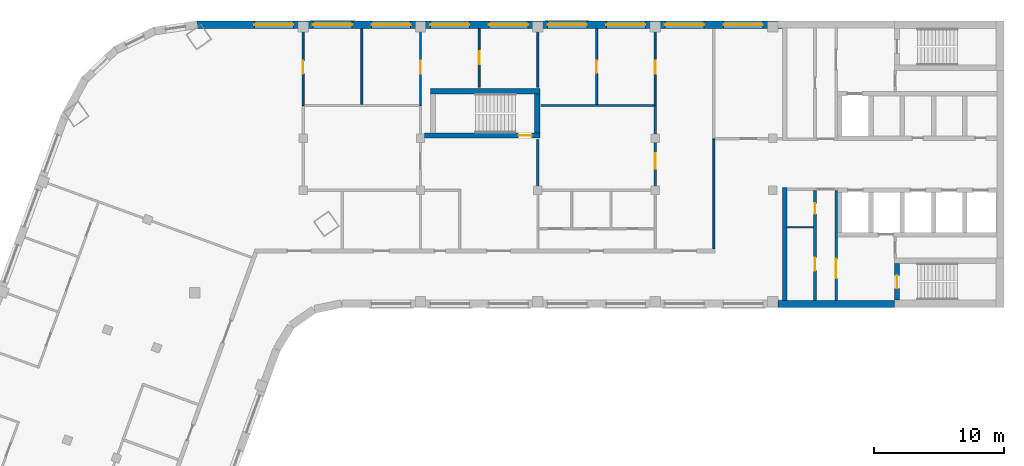
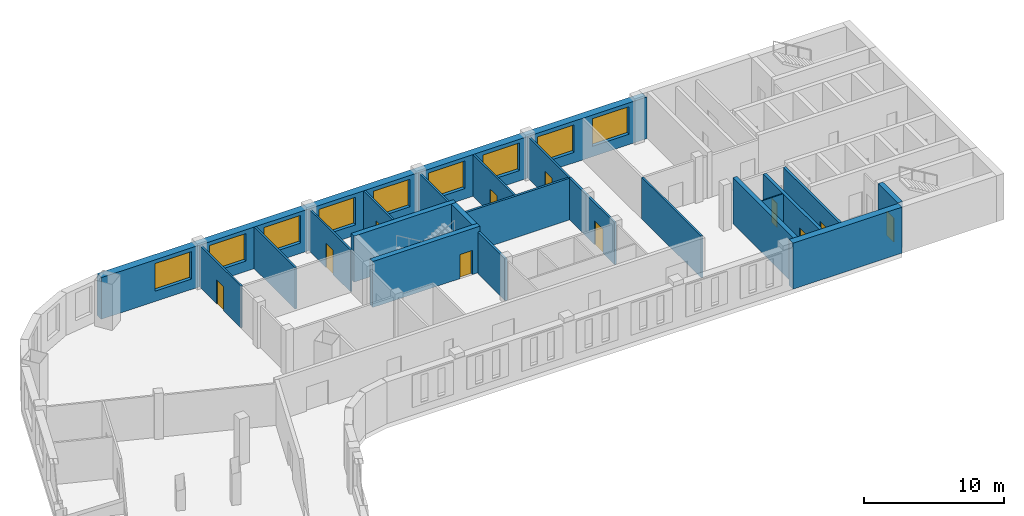
# One storey, part 5 of 8: 21 walls, 11 doors, 9 windows, 20 openings.
"""IFC4 building model written with IfcOpenShell, lengths in metres."""

import ifcopenshell
import ifcopenshell.guid

model = None  # the IFC model being written
_history = None  # IfcOwnerHistory: only IFC2X3 demands one
_inside = {}  # id of a spatial element -> (the spatial element, [elements in it])
_under = {}  # id of a project, library or spatial element -> (it, [spatial elements below it])
_declared = {}  # id of a project -> (the project, [libraries it declares])
_typed = {}  # id of a type object -> (the type object, [elements of that type])
_made_of = {}  # id of a material, layer set ... -> (it, [elements and type objects made of it])


def new_model(schema):
    """Start an empty IFC model of exactly this schema.

    Asked for "IFC4X3", IfcOpenShell would pick the latest addendum, in which some entities
    have other attributes; the version numbers below select the first issue.
    IFC2X3 requires an IfcOwnerHistory on every rooted entity: one is made here for all.
    """
    global model, _history
    if schema == "IFC4X3":
        model = ifcopenshell.file(schema_version=(4, 3, 0, 0))
    else:
        model = ifcopenshell.file(schema=schema)
    _inside.clear()
    _under.clear()
    _declared.clear()
    _typed.clear()
    _made_of.clear()
    _history = None
    if model.schema == "IFC2X3":
        org = make("IfcOrganization", Name="unknown")
        user = make(
            "IfcPersonAndOrganization",
            ThePerson=make("IfcPerson", FamilyName="unknown"),
            TheOrganization=org,
        )
        app = make(
            "IfcApplication",
            ApplicationDeveloper=org,
            Version="unknown",
            ApplicationFullName="unknown",
            ApplicationIdentifier="unknown",
        )
        _history = make(
            "IfcOwnerHistory",
            OwningUser=user,
            OwningApplication=app,
            ChangeAction="ADDED",
            CreationDate=0,
        )
    return model


def make(cls, **values):
    """One entity of the class cls with the attributes given. An attribute that is None is left unset."""
    return model.create_entity(
        cls, **{name: value for name, value in values.items() if value is not None}
    )


def rooted(cls, **values):
    """An entity with a GlobalId (a new one), such as an element, a storey or a relation."""
    return make(cls, GlobalId=ifcopenshell.guid.new(), OwnerHistory=_history, **values)


def si_unit(unit_type, name, prefix=None):
    """IfcSIUnit, for example si_unit("LENGTHUNIT", "METRE", prefix="MILLI")."""
    return make("IfcSIUnit", UnitType=unit_type, Prefix=prefix, Name=name)


def assignment(units):
    """IfcUnitAssignment: the units of a project."""
    return None if units is None else make("IfcUnitAssignment", Units=units)


def point(xyz):
    """IfcCartesianPoint."""
    return None if xyz is None else make("IfcCartesianPoint", Coordinates=xyz)


def direction(xyz):
    """IfcDirection."""
    return None if xyz is None else make("IfcDirection", DirectionRatios=xyz)


def frame(location, z_axis=None, x_axis=None):
    """IfcAxis2Placement3D, a coordinate frame: its origin and axes. An axis left out is left unset."""
    return make(
        "IfcAxis2Placement3D",
        Location=point(location),
        Axis=direction(z_axis),
        RefDirection=direction(x_axis),
    )


def frame_2d(location, x_axis=None):
    """IfcAxis2Placement2D, a coordinate frame in the plane: its origin and x axis."""
    return make(
        "IfcAxis2Placement2D", Location=point(location), RefDirection=direction(x_axis)
    )


def origin():
    """The frame at (0, 0, 0) with its axes left unset."""
    return frame((0.0, 0.0, 0.0))


def place(relative_to, where):
    """IfcLocalPlacement: puts the frame where relative to a parent placement (None: the world)."""
    return make(
        "IfcLocalPlacement", PlacementRelTo=relative_to, RelativePlacement=where
    )


def context(
    kind, dimensions, precision=None, world=None, true_north=None, identifier=None
):
    """IfcGeometricRepresentationContext, for example the 3D "Model" context."""
    return make(
        "IfcGeometricRepresentationContext",
        ContextIdentifier=identifier,
        ContextType=kind,
        CoordinateSpaceDimension=dimensions,
        Precision=precision,
        WorldCoordinateSystem=world,
        TrueNorth=true_north,
    )


def subcontext(parent, identifier, kind, view, scale=None):
    """IfcGeometricRepresentationSubContext, for example "Body" below "Model"."""
    return make(
        "IfcGeometricRepresentationSubContext",
        ContextIdentifier=identifier,
        ContextType=kind,
        ParentContext=parent,
        TargetScale=scale,
        TargetView=view,
    )


def project(units=None, contexts=None):
    """IfcProject with its units and contexts."""
    return rooted(
        "IfcProject",
        Name="project",
        RepresentationContexts=contexts,
        UnitsInContext=assignment(units),
    )


def spatial(cls, under=None, at=None, **own):
    """A site, building, storey or space (cls), placed at a placement, below another one or the project."""
    s = rooted(cls, ObjectPlacement=at, **own)
    if under is not None:
        _under.setdefault(under.id(), (under, []))[1].append(s)
    return s


def profile(cls, at=None, kind="AREA", **sizes):
    """A parametric profile (cls). Its sizes go by their IFC names, for example OverallWidth=200.0."""
    return make(cls, ProfileType=kind, Position=at, **sizes)


def rectangle(**sizes):
    """IfcRectangleProfileDef."""
    return profile("IfcRectangleProfileDef", **sizes)


def extrude(swept, where, along, depth):
    """IfcExtrudedAreaSolid: the profile swept, set in the frame where, extruded along a direction by depth."""
    return make(
        "IfcExtrudedAreaSolid",
        SweptArea=swept,
        Position=where,
        ExtrudedDirection=direction(along),
        Depth=depth,
    )


def shape(context_of_items, identifier, shape_type, items):
    """IfcShapeRepresentation: the items that make up one representation, for example the "Body"."""
    return make(
        "IfcShapeRepresentation",
        ContextOfItems=context_of_items,
        RepresentationIdentifier=identifier,
        RepresentationType=shape_type,
        Items=items,
    )


def material(Name=None, Category=None):
    """IfcMaterial."""
    return make("IfcMaterial", Name=Name, Category=Category)


def layer(
    of_material, thickness, ventilated=None, Name=None, Category=None, Priority=None
):
    """IfcMaterialLayer: one layer of a wall or slab, of a material (None: an air gap)."""
    return make(
        "IfcMaterialLayer",
        Material=of_material,
        LayerThickness=thickness,
        IsVentilated=ventilated,
        Name=Name,
        Category=Category,
        Priority=Priority,
    )


def layer_set(layers, Name=None):
    """IfcMaterialLayerSet."""
    return make("IfcMaterialLayerSet", MaterialLayers=layers, LayerSetName=Name)


def made_of(thing, what):
    """Note that an element or type object is made of a material, layer set ...; save() writes the relation."""
    if what is not None:
        _made_of.setdefault(what.id(), (what, []))[1].append(thing)
    return thing


def type_object(cls, material=None, **own):
    """A type object (cls), such as IfcWallType, which elements share."""
    return made_of(rooted(cls, **own), material)


def element(
    cls,
    number,
    at=None,
    inside=None,
    cuts=None,
    type_object=None,
    material=None,
    context=None,
    identifier="Body",
    shape_type=None,
    held_by="IfcProductDefinitionShape",
    body=None,
    shapes=None,
    **own,
):
    """One element of the class cls, such as IfcWall. Its Tag is "e" and its number.

    at: its placement. inside: the storey or other place that contains it. cuts: it is an
    opening in that element (IfcRelVoidsElement). A single representation is given by context,
    identifier, shape_type and body (its items); several are given by shapes. held_by: the class
    of the entity that holds the representations. save() writes the other relations.
    """
    e = rooted(cls, Tag="e%d" % number, ObjectPlacement=at, **own)
    if body is not None:
        shapes = [shape(context, identifier, shape_type, body)]
    if shapes is not None:
        e.Representation = make(held_by, Representations=shapes)
    if inside is not None:
        _inside.setdefault(inside.id(), (inside, []))[1].append(e)
    if cuts is not None:
        rooted(
            "IfcRelVoidsElement", RelatingBuildingElement=cuts, RelatedOpeningElement=e
        )
    if type_object is not None:
        _typed.setdefault(type_object.id(), (type_object, []))[1].append(e)
    return made_of(e, material)


def fill(opening, filler):
    """IfcRelFillsElement: the door or window that sits in an opening."""
    return rooted(
        "IfcRelFillsElement",
        RelatingOpeningElement=opening,
        RelatedBuildingElement=filler,
    )


def aggregate(whole, parts):
    """IfcRelAggregates: a whole, such as a stair, and the parts it consists of."""
    return rooted("IfcRelAggregates", RelatingObject=whole, RelatedObjects=parts)


def save(model, path):
    """Write the relations noted so far, then the file.

    IfcRelAggregates (storeys below a building ...), IfcRelContainedInSpatialStructure (elements
    in a storey), IfcRelDefinesByType, IfcRelAssociatesMaterial and IfcRelDeclares: one each for
    every whole, place, type object, material and project.
    """
    for whole, parts in _under.values():
        aggregate(whole, parts)
    for where, things in _inside.values():
        rooted(
            "IfcRelContainedInSpatialStructure",
            RelatedElements=things,
            RelatingStructure=where,
        )
    for kind, things in _typed.values():
        rooted("IfcRelDefinesByType", RelatedObjects=things, RelatingType=kind)
    for what, things in _made_of.values():
        rooted("IfcRelAssociatesMaterial", RelatedObjects=things, RelatingMaterial=what)
    for by, libraries in _declared.values():
        rooted("IfcRelDeclares", RelatingContext=by, RelatedDefinitions=libraries)
    model.write(path)


model = new_model("IFC4")

# Units and contexts
model_context = context("Model", 3, precision=1e-05, world=origin(), true_north=direction((0.0, 1.0)))
body_context = subcontext(model_context, "Body", "Model", "MODEL_VIEW")
ifc_project = project(units=[si_unit("LENGTHUNIT", "METRE"), si_unit("AREAUNIT", "SQUARE_METRE"), si_unit("VOLUMEUNIT", "CUBIC_METRE"), si_unit("PLANEANGLEUNIT", "RADIAN"), si_unit("MASSUNIT", "GRAM", prefix="KILO")], contexts=[model_context])

# Site, building, storey
site_placement = place(None, origin())
site = spatial("IfcSite", under=ifc_project, at=site_placement, CompositionType="ELEMENT")
building_placement = place(site_placement, origin())
building = spatial("IfcBuilding", under=site, at=building_placement, Name="Skarvind Civic Tower", CompositionType="ELEMENT")
storey_placement = place(building_placement, frame((0.0, 0.0, 146.5)))
storey = spatial("IfcBuildingStorey", under=building, at=storey_placement, Name="L34", CompositionType="ELEMENT", Elevation=146.5)

# Wall
ifc_material_1 = material(Name="Acoustic gypsum board on steel studs", Category="steel")
ifc_layer_1 = layer(ifc_material_1, 0.175048828125)
ifc_layer_set_1 = layer_set([ifc_layer_1], Name="ACOUSTIC MEETING-ROOM PARTITION 175")
wall_type_1 = type_object("IfcWallType", Name="ACOUSTIC MEETING-ROOM PARTITION 175", PredefinedType="PARTITIONING", material=ifc_layer_set_1)
wall_1_placement = place(storey_placement, frame((72.25, 129.89990234375, 0.0), z_axis=(0.0, 0.0, 1.0), x_axis=(0.0, -1.0, 0.0)))
element("IfcWall", 1, at=wall_1_placement, inside=storey, type_object=wall_type_1, Name="Partition 34.034", PredefinedType="PARTITIONING", context=body_context, shape_type="SweptSolid", body=[
    extrude(rectangle(XDim=3.89990234375, YDim=0.175048828125, at=frame_2d((1.949951171875, 0.0))), origin(), (0.0, 0.0, 1.0), 3.625),
])

# Wall, opening, door
wall_2_placement = place(storey_placement, frame((81.25, 132.5, 0.0), z_axis=(0.0, 0.0, 1.0), x_axis=(0.0, -1.0, 0.0)))
wall_2 = element("IfcWall", 2, at=wall_2_placement, inside=storey, type_object=wall_type_1, Name="Partition 34.040", PredefinedType="PARTITIONING", context=body_context, shape_type="SweptSolid", body=[
    extrude(rectangle(XDim=6.5, YDim=0.175048828125, at=frame_2d((3.25, 0.0))), origin(), (0.0, 0.0, 1.0), 3.625),
])
opening_1_placement = place(wall_2_placement, frame((3.64990234375, 0.0, 0.0)))
opening_1 = element("IfcOpeningElement", 3, at=opening_1_placement, cuts=wall_2, Name="Opening L34-D025", PredefinedType="OPENING", context=body_context, shape_type="SweptSolid", body=[
    extrude(rectangle(XDim=1.199951171875, YDim=2.10009765625, at=frame_2d((0.60009765625, 1.050048828125))), frame((0.0, 0.097412109375, 0.0), z_axis=(0.0, -1.0, 0.0), x_axis=(1.0, 0.0, 0.0)), (0.0, 0.0, 1.0), 0.195068359375),
])
ifc_material_2 = material(Name="Timber door leaf", Category="wood")
door_type_1 = type_object("IfcDoorType", Name="DOOR 1200X2100 DOUBLE TIMBER", OperationType="NOTDEFINED", PredefinedType="DOOR", material=ifc_material_2)
door_1_placement = place(opening_1_placement, origin())
door_1 = element("IfcDoor", 4, at=door_1_placement, inside=storey, type_object=door_type_1, Name="Door L34-D025", OperationType="DOUBLE_DOOR_SINGLE_SWING", OverallHeight=2.10009765625, OverallWidth=1.199951171875, PredefinedType="DOOR", context=body_context, shape_type="SweptSolid", body=[
    extrude(rectangle(XDim=1.199951171875, YDim=2.10009765625, at=frame_2d((0.60009765625, 1.050048828125))), frame((0.0, 0.02490234375, 0.0), z_axis=(0.0, -1.0, 0.0), x_axis=(1.0, 0.0, 0.0)), (0.0, 0.0, 1.0), 0.050048828125),
])
fill(opening_1, door_1)

# Wall
wall_3_placement = place(storey_placement, frame((81.162109375, 132.5, 0.0), z_axis=(0.0, 0.0, 1.0), x_axis=(-1.0, 0.0, 0.0)))
element("IfcWall", 5, at=wall_3_placement, inside=storey, type_object=wall_type_1, Name="Partition 34.041", PredefinedType="PARTITIONING", context=body_context, shape_type="SweptSolid", body=[
    extrude(rectangle(XDim=8.662109375, YDim=0.175048828125, at=frame_2d((4.3310546875, 0.0))), origin(), (0.0, 0.0, 1.0), 3.625),
])

# Wall, opening, door
ifc_material_3 = material(Name="Fire-rated masonry partition", Category="masonry")
ifc_layer_2 = layer(ifc_material_3, 0.199951171875)
ifc_layer_set_2 = layer_set([ifc_layer_2], Name="Core enclosure wall 200")
wall_type_2 = type_object("IfcWallType", Name="Core enclosure wall 200", PredefinedType="PARTITIONING", material=ifc_layer_set_2)
wall_4_placement = place(storey_placement, frame((95.125, 117.550048828125, 0.0), z_axis=(0.0, 0.0, 1.0), x_axis=(0.0, 1.0, 0.0)))
wall_4 = element("IfcWall", 6, at=wall_4_placement, inside=storey, type_object=wall_type_2, Name="Core wall C1", PredefinedType="PARTITIONING", context=body_context, shape_type="SweptSolid", body=[
    extrude(rectangle(XDim=8.425048828125, YDim=0.199951171875, at=frame_2d((4.21240234375, 0.0))), origin(), (0.0, 0.0, 1.0), 3.625),
])
opening_2_placement = place(wall_4_placement, frame((1.6875, 0.0, 0.0)))
opening_2 = element("IfcOpeningElement", 7, at=opening_2_placement, cuts=wall_4, Name="Opening D-L34-C1-08", PredefinedType="OPENING", context=body_context, shape_type="SweptSolid", body=[
    extrude(rectangle(XDim=1.5, YDim=2.10009765625, at=frame_2d((0.75, 1.050048828125))), frame((0.0, 0.10986328125, 0.0), z_axis=(0.0, -1.0, 0.0), x_axis=(1.0, 0.0, 0.0)), (0.0, 0.0, 1.0), 0.219970703125),
])
ifc_material_4 = material(Name="Fire-rated steel door", Category="steel")
door_type_2 = type_object("IfcDoorType", Name="Fire door 1500", OperationType="NOTDEFINED", PredefinedType="DOOR", material=ifc_material_4)
door_2_placement = place(opening_2_placement, origin())
door_2 = element("IfcDoor", 8, at=door_2_placement, inside=storey, type_object=door_type_2, Name="Fire door", OperationType="DOUBLE_DOOR_SINGLE_SWING", OverallHeight=2.10009765625, OverallWidth=1.5, PredefinedType="DOOR", context=body_context, shape_type="SweptSolid", body=[
    extrude(rectangle(XDim=1.5, YDim=2.10009765625, at=frame_2d((0.75, 1.050048828125))), frame((0.0, 0.02490234375, 0.0), z_axis=(0.0, -1.0, 0.0), x_axis=(1.0, 0.0, 0.0)), (0.0, 0.0, 1.0), 0.050048828125),
])
fill(opening_2, door_2)

# Walls
ifc_material_5 = material(Name="Fire-rated plasterboard partition")
ifc_layer_3 = layer(ifc_material_5, 0.10009765625)
ifc_layer_set_3 = layer_set([ifc_layer_3], Name="Core partition wall 100")
wall_type_3 = type_object("IfcWallType", Name="Core partition wall 100", PredefinedType="PARTITIONING", material=ifc_layer_set_3)
wall_5_placement = place(storey_placement, frame((93.375, 123.169921875, 0.0), z_axis=(0.0, 0.0, 1.0), x_axis=(-1.0, 0.0, 0.0)))
element("IfcWall", 9, at=wall_5_placement, inside=storey, type_object=wall_type_3, Name="Core wall C1", PredefinedType="PARTITIONING", context=body_context, shape_type="SweptSolid", body=[
    extrude(rectangle(XDim=2.02490234375, YDim=0.10009765625, at=frame_2d((1.012451171875, 0.0))), origin(), (0.0, 0.0, 1.0), 3.625),
])
ifc_material_6 = material(Name="Concrete C60", Category="concrete")
ifc_layer_4 = layer(ifc_material_6, 0.35009765625)
ifc_layer_set_4 = layer_set([ifc_layer_4], Name="Core wall 350 C60")
wall_type_4 = type_object("IfcWallType", Name="Core wall 350 C60", PredefinedType="SHEAR", material=ifc_layer_set_4)
wall_6_placement = place(storey_placement, frame((91.175048828125, 126.199951171875, 0.0), z_axis=(0.0, 0.0, 1.0), x_axis=(0.0, -1.0, 0.0)))
element("IfcWall", 10, at=wall_6_placement, inside=storey, type_object=wall_type_4, Name="Core wall C1 north inner face L34", PredefinedType="SHEAR", context=body_context, shape_type="SweptSolid", body=[
    extrude(rectangle(XDim=8.64990234375, YDim=0.35009765625, at=frame_2d((4.324951171875, 0.0))), origin(), (0.0, 0.0, 1.0), 4.0),
])

# Wall, opening, door
ifc_layer_5 = layer(ifc_material_6, 0.39990234375)
ifc_layer_set_5 = layer_set([ifc_layer_5], Name="Core wall 400 C60")
wall_type_5 = type_object("IfcWallType", Name="Core wall 400 C60", PredefinedType="SHEAR", material=ifc_layer_set_5)
wall_7_placement = place(storey_placement, frame((99.800048828125, 120.39990234375, 0.0), z_axis=(0.0, 0.0, 1.0), x_axis=(0.0, -1.0, 0.0)))
wall_7 = element("IfcWall", 11, at=wall_7_placement, inside=storey, type_object=wall_type_5, Name="Core wall C1 north stair end L34", PredefinedType="SHEAR", context=body_context, shape_type="SweptSolid", body=[
    extrude(rectangle(XDim=2.7998046875, YDim=0.39990234375, at=frame_2d((1.39990234375, 0.0))), origin(), (0.0, 0.0, 1.0), 4.0),
])
opening_3_placement = place(wall_7_placement, frame((0.925048828125, 0.0, 0.0)))
opening_3 = element("IfcOpeningElement", 12, at=opening_3_placement, cuts=wall_7, Name="Opening D-L34-C1-09", PredefinedType="OPENING", context=body_context, shape_type="SweptSolid", body=[
    extrude(rectangle(XDim=1.0, YDim=2.10009765625, at=frame_2d((0.5, 1.050048828125))), frame((0.0, 0.2099609375, 0.0), z_axis=(0.0, -1.0, 0.0), x_axis=(1.0, 0.0, 0.0)), (0.0, 0.0, 1.0), 0.419921875),
])
door_type_3 = type_object("IfcDoorType", Name="Fire door 1000", OperationType="NOTDEFINED", PredefinedType="DOOR", material=ifc_material_4)
door_3_placement = place(opening_3_placement, origin())
door_3 = element("IfcDoor", 13, at=door_3_placement, inside=storey, type_object=door_type_3, Name="Fire door", OperationType="SINGLE_SWING_LEFT", OverallHeight=2.10009765625, OverallWidth=1.0, PredefinedType="DOOR", context=body_context, shape_type="SweptSolid", body=[
    extrude(rectangle(XDim=1.0, YDim=2.10009765625, at=frame_2d((0.5, 1.050048828125))), frame((0.0, 0.02490234375, 0.0), z_axis=(0.0, -1.0, 0.0), x_axis=(1.0, 0.0, 0.0)), (0.0, 0.0, 1.0), 0.050048828125),
])
fill(opening_3, door_3)

wall_8_placement = place(storey_placement, frame((63.574951171875, 130.199951171875, 0.0), z_axis=(0.0, 0.0, 1.0), x_axis=(1.0, 0.0, 0.0)))
wall_8 = element("IfcWall", 14, at=wall_8_placement, inside=storey, type_object=wall_type_5, Name="Core wall CM inner L34", PredefinedType="SHEAR", context=body_context, shape_type="SweptSolid", body=[
    extrude(rectangle(XDim=8.824951171875, YDim=0.39990234375, at=frame_2d((4.41259765625, 0.0))), origin(), (0.0, 0.0, 1.0), 4.0),
])
opening_4_placement = place(wall_8_placement, frame((7.199951171875, 0.0, 0.0)))
opening_4 = element("IfcOpeningElement", 15, at=opening_4_placement, cuts=wall_8, Name="Opening D-L34-CM-01", PredefinedType="OPENING", context=body_context, shape_type="SweptSolid", body=[
    extrude(rectangle(XDim=1.0, YDim=2.10009765625, at=frame_2d((0.5, 1.050048828125))), frame((0.0, 0.2099609375, 0.0), z_axis=(0.0, -1.0, 0.0), x_axis=(1.0, 0.0, 0.0)), (0.0, 0.0, 1.0), 0.419921875),
])
door_4_placement = place(opening_4_placement, origin())
door_4 = element("IfcDoor", 16, at=door_4_placement, inside=storey, type_object=door_type_3, Name="Fire door", OperationType="SINGLE_SWING_LEFT", OverallHeight=2.10009765625, OverallWidth=1.0, PredefinedType="DOOR", context=body_context, shape_type="SweptSolid", body=[
    extrude(rectangle(XDim=1.0, YDim=2.10009765625, at=frame_2d((0.5, 1.050048828125))), frame((0.0, 0.02490234375, 0.0), z_axis=(0.0, -1.0, 0.0), x_axis=(1.0, 0.0, 0.0)), (0.0, 0.0, 1.0), 0.050048828125),
])
fill(opening_4, door_4)

# Walls
wall_9_placement = place(storey_placement, frame((64.0, 133.60009765625, 0.0), z_axis=(0.0, 0.0, 1.0), x_axis=(1.0, 0.0, 0.0)))
element("IfcWall", 17, at=wall_9_placement, inside=storey, type_object=wall_type_5, Name="Core wall CM outer L34", PredefinedType="SHEAR", context=body_context, shape_type="SweptSolid", body=[
    extrude(rectangle(XDim=8.39990234375, YDim=0.39990234375, at=frame_2d((4.199951171875, 0.0))), origin(), (0.0, 0.0, 1.0), 4.0),
])
wall_10_placement = place(storey_placement, frame((72.199951171875, 130.39990234375, 0.0), z_axis=(0.0, 0.0, 1.0), x_axis=(0.0, 1.0, 0.0)))
element("IfcWall", 18, at=wall_10_placement, inside=storey, type_object=wall_type_5, Name="Core wall CM end L34", PredefinedType="SHEAR", context=body_context, shape_type="SweptSolid", body=[
    extrude(rectangle(XDim=3.0, YDim=0.39990234375, at=frame_2d((1.5, 0.0))), origin(), (0.0, 0.0, 1.0), 4.0),
])
ifc_layer_6 = layer(ifc_material_6, 0.550048828125)
ifc_layer_set_6 = layer_set([ifc_layer_6], Name="Core wall 550 C60")
wall_type_6 = type_object("IfcWallType", Name="Core wall 550 C60", PredefinedType="SHEAR", material=ifc_layer_set_6)
wall_11_placement = place(storey_placement, frame((99.60009765625, 117.27490234375, 0.0), z_axis=(0.0, 0.0, 1.0), x_axis=(-1.0, 0.0, 0.0)))
element("IfcWall", 19, at=wall_11_placement, inside=storey, type_object=wall_type_6, Name="Core wall C1 north side L34", PredefinedType="SHEAR", context=body_context, shape_type="SweptSolid", body=[
    extrude(rectangle(XDim=8.9501953125, YDim=0.550048828125, at=frame_2d((4.47509765625, 0.0))), origin(), (0.0, 0.0, 1.0), 4.0),
])

# Wall, opening, door
ifc_material_7 = material(Name="Plasterboard partition on steel studs", Category="steel")
ifc_layer_7 = layer(ifc_material_7, 0.14990234375)
ifc_layer_set_7 = layer_set([ifc_layer_7], Name="PARTITION 150")
wall_type_7 = type_object("IfcWallType", Name="PARTITION 150", PredefinedType="PARTITIONING", material=ifc_layer_set_7)
wall_12_placement = place(storey_placement, frame((54.25, 132.4970703125, 0.0), z_axis=(0.0, 0.0, 1.0), x_axis=(0.0, 1.0, 0.0)))
wall_12 = element("IfcWall", 20, at=wall_12_placement, inside=storey, type_object=wall_type_7, Name="Partition 34.021", PredefinedType="PARTITIONING", context=body_context, shape_type="SweptSolid", body=[
    extrude(rectangle(XDim=5.90185546875, YDim=0.14990234375, at=frame_2d((2.950927734375, 0.0))), origin(), (0.0, 0.0, 1.0), 3.625),
])
opening_5_placement = place(wall_12_placement, frame((2.452880859375, 0.0, 0.0)))
opening_5 = element("IfcOpeningElement", 21, at=opening_5_placement, cuts=wall_12, Name="Opening L34-D013", PredefinedType="OPENING", context=body_context, shape_type="SweptSolid", body=[
    extrude(rectangle(XDim=1.0, YDim=2.10009765625, at=frame_2d((0.5, 1.050048828125))), frame((0.0, 0.0849609375, 0.0), z_axis=(0.0, -1.0, 0.0), x_axis=(1.0, 0.0, 0.0)), (0.0, 0.0, 1.0), 0.169921875),
])
door_type_4 = type_object("IfcDoorType", Name="D1 1000x2100", OperationType="NOTDEFINED", PredefinedType="DOOR", material=ifc_material_2)
door_5_placement = place(opening_5_placement, origin())
door_5 = element("IfcDoor", 22, at=door_5_placement, inside=storey, type_object=door_type_4, Name="Door L34-D013", OperationType="SINGLE_SWING_LEFT", OverallHeight=2.10009765625, OverallWidth=1.0, PredefinedType="DOOR", context=body_context, shape_type="SweptSolid", body=[
    extrude(rectangle(XDim=1.0, YDim=2.10009765625, at=frame_2d((0.5, 1.050048828125))), frame((0.0, 0.02490234375, 0.0), z_axis=(0.0, -1.0, 0.0), x_axis=(1.0, 0.0, 0.0)), (0.0, 0.0, 1.0), 0.050048828125),
])
fill(opening_5, door_5)

# Wall
wall_13_placement = place(storey_placement, frame((58.75, 132.587890625, 0.0), z_axis=(0.0, 0.0, 1.0), x_axis=(0.0, 1.0, 0.0)))
element("IfcWall", 23, at=wall_13_placement, inside=storey, type_object=wall_type_7, Name="Partition 34.024", PredefinedType="PARTITIONING", context=body_context, shape_type="SweptSolid", body=[
    extrude(rectangle(XDim=5.81201171875, YDim=0.14990234375, at=frame_2d((2.906005859375, 0.0))), origin(), (0.0, 0.0, 1.0), 3.625),
])

# Wall, opening, door
wall_14_placement = place(storey_placement, frame((63.25, 138.39990234375, 0.0), z_axis=(0.0, 0.0, 1.0), x_axis=(0.0, -1.0, 0.0)))
wall_14 = element("IfcWall", 24, at=wall_14_placement, inside=storey, type_object=wall_type_7, Name="Partition 34.027", PredefinedType="PARTITIONING", context=body_context, shape_type="SweptSolid", body=[
    extrude(rectangle(XDim=5.89990234375, YDim=0.14990234375, at=frame_2d((2.949951171875, 0.0))), origin(), (0.0, 0.0, 1.0), 3.625),
])
opening_6_placement = place(wall_14_placement, frame((2.449951171875, 0.0, 0.0)))
opening_6 = element("IfcOpeningElement", 25, at=opening_6_placement, cuts=wall_14, Name="Opening L34-D012", PredefinedType="OPENING", context=body_context, shape_type="SweptSolid", body=[
    extrude(rectangle(XDim=1.0, YDim=2.10009765625, at=frame_2d((0.5, 1.050048828125))), frame((0.0, 0.0849609375, 0.0), z_axis=(0.0, -1.0, 0.0), x_axis=(1.0, 0.0, 0.0)), (0.0, 0.0, 1.0), 0.169921875),
])
door_6_placement = place(opening_6_placement, origin())
door_6 = element("IfcDoor", 26, at=door_6_placement, inside=storey, type_object=door_type_4, Name="Door L34-D012", OperationType="SINGLE_SWING_LEFT", OverallHeight=2.10009765625, OverallWidth=1.0, PredefinedType="DOOR", context=body_context, shape_type="SweptSolid", body=[
    extrude(rectangle(XDim=1.0, YDim=2.10009765625, at=frame_2d((0.5, 1.050048828125))), frame((0.0, 0.02490234375, 0.0), z_axis=(0.0, -1.0, 0.0), x_axis=(1.0, 0.0, 0.0)), (0.0, 0.0, 1.0), 0.050048828125),
])
fill(opening_6, door_6)

wall_15_placement = place(storey_placement, frame((67.75, 133.89990234375, 0.0), z_axis=(0.0, 0.0, 1.0), x_axis=(0.0, 1.0, 0.0)))
wall_15 = element("IfcWall", 27, at=wall_15_placement, inside=storey, type_object=wall_type_7, Name="Partition 34.030", PredefinedType="PARTITIONING", context=body_context, shape_type="SweptSolid", body=[
    extrude(rectangle(XDim=4.5, YDim=0.14990234375, at=frame_2d((2.25, 0.0))), origin(), (0.0, 0.0, 1.0), 3.625),
])
opening_7_placement = place(wall_15_placement, frame((1.75, 0.0, 0.0)))
opening_7 = element("IfcOpeningElement", 28, at=opening_7_placement, cuts=wall_15, Name="Opening L34-D011", PredefinedType="OPENING", context=body_context, shape_type="SweptSolid", body=[
    extrude(rectangle(XDim=1.0, YDim=2.10009765625, at=frame_2d((0.5, 1.050048828125))), frame((0.0, 0.0849609375, 0.0), z_axis=(0.0, -1.0, 0.0), x_axis=(1.0, 0.0, 0.0)), (0.0, 0.0, 1.0), 0.169921875),
])
door_7_placement = place(opening_7_placement, origin())
door_7 = element("IfcDoor", 29, at=door_7_placement, inside=storey, type_object=door_type_4, Name="Door L34-D011", OperationType="SINGLE_SWING_LEFT", OverallHeight=2.10009765625, OverallWidth=1.0, PredefinedType="DOOR", context=body_context, shape_type="SweptSolid", body=[
    extrude(rectangle(XDim=1.0, YDim=2.10009765625, at=frame_2d((0.5, 1.050048828125))), frame((0.0, 0.02490234375, 0.0), z_axis=(0.0, -1.0, 0.0), x_axis=(1.0, 0.0, 0.0)), (0.0, 0.0, 1.0), 0.050048828125),
])
fill(opening_7, door_7)

# Wall
wall_16_placement = place(storey_placement, frame((72.25, 133.89990234375, 0.0), z_axis=(0.0, 0.0, 1.0), x_axis=(0.0, 1.0, 0.0)))
element("IfcWall", 30, at=wall_16_placement, inside=storey, type_object=wall_type_7, Name="Partition 34.035", PredefinedType="PARTITIONING", context=body_context, shape_type="SweptSolid", body=[
    extrude(rectangle(XDim=4.5, YDim=0.14990234375, at=frame_2d((2.25, 0.0))), origin(), (0.0, 0.0, 1.0), 3.625),
])

# Wall, opening, door
wall_17_placement = place(storey_placement, frame((76.75, 138.39990234375, 0.0), z_axis=(0.0, 0.0, 1.0), x_axis=(0.0, -1.0, 0.0)))
wall_17 = element("IfcWall", 31, at=wall_17_placement, inside=storey, type_object=wall_type_7, Name="Partition 34.037", PredefinedType="PARTITIONING", context=body_context, shape_type="SweptSolid", body=[
    extrude(rectangle(XDim=5.81201171875, YDim=0.14990234375, at=frame_2d((2.906005859375, 0.0))), origin(), (0.0, 0.0, 1.0), 3.625),
])
opening_8_placement = place(wall_17_placement, frame((2.416015625, 0.0, 0.0)))
opening_8 = element("IfcOpeningElement", 32, at=opening_8_placement, cuts=wall_17, Name="Opening L34-D007", PredefinedType="OPENING", context=body_context, shape_type="SweptSolid", body=[
    extrude(rectangle(XDim=1.0, YDim=2.10009765625, at=frame_2d((0.5, 1.050048828125))), frame((0.0, 0.0849609375, 0.0), z_axis=(0.0, -1.0, 0.0), x_axis=(1.0, 0.0, 0.0)), (0.0, 0.0, 1.0), 0.169921875),
])
door_8_placement = place(opening_8_placement, origin())
door_8 = element("IfcDoor", 33, at=door_8_placement, inside=storey, type_object=door_type_4, Name="Door L34-D007", OperationType="SINGLE_SWING_LEFT", OverallHeight=2.10009765625, OverallWidth=1.0, PredefinedType="DOOR", context=body_context, shape_type="SweptSolid", body=[
    extrude(rectangle(XDim=1.0, YDim=2.10009765625, at=frame_2d((0.5, 1.050048828125))), frame((0.0, 0.02490234375, 0.0), z_axis=(0.0, -1.0, 0.0), x_axis=(1.0, 0.0, 0.0)), (0.0, 0.0, 1.0), 0.050048828125),
])
fill(opening_8, door_8)

wall_18_placement = place(storey_placement, frame((81.25, 138.39990234375, 0.0), z_axis=(0.0, 0.0, 1.0), x_axis=(0.0, -1.0, 0.0)))
wall_18 = element("IfcWall", 34, at=wall_18_placement, inside=storey, type_object=wall_type_7, Name="Partition 34.042", PredefinedType="PARTITIONING", context=body_context, shape_type="SweptSolid", body=[
    extrude(rectangle(XDim=5.89990234375, YDim=0.14990234375, at=frame_2d((2.949951171875, 0.0))), origin(), (0.0, 0.0, 1.0), 3.625),
])
opening_9_placement = place(wall_18_placement, frame((2.449951171875, 0.0, 0.0)))
opening_9 = element("IfcOpeningElement", 35, at=opening_9_placement, cuts=wall_18, Name="Opening L34-D006", PredefinedType="OPENING", context=body_context, shape_type="SweptSolid", body=[
    extrude(rectangle(XDim=1.0, YDim=2.10009765625, at=frame_2d((0.5, 1.050048828125))), frame((0.0, 0.0849609375, 0.0), z_axis=(0.0, -1.0, 0.0), x_axis=(1.0, 0.0, 0.0)), (0.0, 0.0, 1.0), 0.169921875),
])
door_9_placement = place(opening_9_placement, origin())
door_9 = element("IfcDoor", 36, at=door_9_placement, inside=storey, type_object=door_type_4, Name="Door L34-D006", OperationType="SINGLE_SWING_LEFT", OverallHeight=2.10009765625, OverallWidth=1.0, PredefinedType="DOOR", context=body_context, shape_type="SweptSolid", body=[
    extrude(rectangle(XDim=1.0, YDim=2.10009765625, at=frame_2d((0.5, 1.050048828125))), frame((0.0, 0.02490234375, 0.0), z_axis=(0.0, -1.0, 0.0), x_axis=(1.0, 0.0, 0.0)), (0.0, 0.0, 1.0), 0.050048828125),
])
fill(opening_9, door_9)

# Wall
wall_19_placement = place(storey_placement, frame((85.75, 121.5, 0.0), z_axis=(0.0, 0.0, 1.0), x_axis=(0.0, 1.0, 0.0)))
element("IfcWall", 37, at=wall_19_placement, inside=storey, type_object=wall_type_7, Name="Partition 34.043", PredefinedType="PARTITIONING", context=body_context, shape_type="SweptSolid", body=[
    extrude(rectangle(XDim=8.449951171875, YDim=0.14990234375, at=frame_2d((4.22509765625, 0.0))), origin(), (0.0, 0.0, 1.0), 3.625),
])

# Wall, openings, doors
ifc_layer_8 = layer(ifc_material_3, 0.25)
ifc_layer_set_8 = layer_set([ifc_layer_8], Name="Service block wall 250")
wall_type_8 = type_object("IfcWallType", Name="Service block wall 250", PredefinedType="PARTITIONING", material=ifc_layer_set_8)
wall_20_placement = place(storey_placement, frame((93.5, 117.550048828125, 0.0), z_axis=(0.0, 0.0, 1.0), x_axis=(0.0, 1.0, 0.0)))
wall_20 = element("IfcWall", 38, at=wall_20_placement, inside=storey, type_object=wall_type_8, Name="Core wall C1", PredefinedType="PARTITIONING", context=body_context, shape_type="SweptSolid", body=[
    extrude(rectangle(XDim=8.425048828125, YDim=0.25, at=frame_2d((4.21240234375, 0.0))), origin(), (0.0, 0.0, 1.0), 3.625),
])
opening_10_placement = place(wall_20_placement, frame((6.6474609375, 0.0, 0.0)))
opening_10 = element("IfcOpeningElement", 39, at=opening_10_placement, cuts=wall_20, Name="Opening D-L34-C1-11", PredefinedType="OPENING", context=body_context, shape_type="SweptSolid", body=[
    extrude(rectangle(XDim=0.800048828125, YDim=2.10009765625, at=frame_2d((0.39990234375, 1.050048828125))), frame((0.0, 0.135009765625, 0.0), z_axis=(0.0, -1.0, 0.0), x_axis=(1.0, 0.0, 0.0)), (0.0, 0.0, 1.0), 0.27001953125),
])
opening_11_placement = place(wall_20_placement, frame((2.284912109375, 0.0, 0.0)))
opening_11 = element("IfcOpeningElement", 40, at=opening_11_placement, cuts=wall_20, Name="Opening D-L34-C1-12", PredefinedType="OPENING", context=body_context, shape_type="SweptSolid", body=[
    extrude(rectangle(XDim=1.0, YDim=2.10009765625, at=frame_2d((0.5, 1.050048828125))), frame((0.0, 0.135009765625, 0.0), z_axis=(0.0, -1.0, 0.0), x_axis=(1.0, 0.0, 0.0)), (0.0, 0.0, 1.0), 0.27001953125),
])
door_type_5 = type_object("IfcDoorType", Name="Core riser door 800", OperationType="NOTDEFINED", PredefinedType="DOOR", material=ifc_material_4)
door_10_placement = place(opening_10_placement, origin())
door_10 = element("IfcDoor", 41, at=door_10_placement, inside=storey, type_object=door_type_5, Name="Riser door", OperationType="SINGLE_SWING_LEFT", OverallHeight=2.10009765625, OverallWidth=0.800048828125, PredefinedType="DOOR", context=body_context, shape_type="SweptSolid", body=[
    extrude(rectangle(XDim=0.800048828125, YDim=2.10009765625, at=frame_2d((0.39990234375, 1.050048828125))), frame((0.0, 0.02490234375, 0.0), z_axis=(0.0, -1.0, 0.0), x_axis=(1.0, 0.0, 0.0)), (0.0, 0.0, 1.0), 0.050048828125),
])
fill(opening_10, door_10)
door_11_placement = place(opening_11_placement, origin())
door_11 = element("IfcDoor", 42, at=door_11_placement, inside=storey, type_object=door_type_3, Name="Fire door", OperationType="SINGLE_SWING_RIGHT", OverallHeight=2.10009765625, OverallWidth=1.0, PredefinedType="DOOR", context=body_context, shape_type="SweptSolid", body=[
    extrude(rectangle(XDim=1.0, YDim=2.10009765625, at=frame_2d((0.5, 1.050048828125))), frame((0.0, 0.02490234375, 0.0), z_axis=(0.0, -1.0, 0.0), x_axis=(1.0, 0.0, 0.0)), (0.0, 0.0, 1.0), 0.050048828125),
])
fill(opening_11, door_11)

# Wall, openings, windows
ifc_material_8 = material(Name="Limestone masonry cladding on insulated backing", Category="masonry")
ifc_layer_9 = layer(ifc_material_8, 0.60009765625)
ifc_layer_set_9 = layer_set([ifc_layer_9], Name="WX1 STONE FACADE WALL 600")
wall_type_9 = type_object("IfcWallType", Name="WX1 STONE FACADE WALL 600", PredefinedType="SOLIDWALL", material=ifc_layer_set_9)
wall_21_placement = place(storey_placement, frame((46.095458984375, 138.699951171875, 0.0), z_axis=(0.0, 0.0, 1.0), x_axis=(1.0, 0.0, 0.0)))
wall_21 = element("IfcWall", 43, at=wall_21_placement, inside=storey, type_object=wall_type_9, Name="STONE FACADE WALL", PredefinedType="SOLIDWALL", context=body_context, shape_type="SweptSolid", body=[
    extrude(rectangle(XDim=44.884521484375, YDim=0.60009765625, at=frame_2d((22.4423828125, 0.0))), origin(), (0.0, 0.0, 1.0), 3.625),
])
opening_12_placement = place(wall_21_placement, frame((4.404541015625, 0.0, 0.89990234375)))
opening_12 = element("IfcOpeningElement", 44, at=opening_12_placement, cuts=wall_21, Name="Opening WN1", PredefinedType="OPENING", context=body_context, shape_type="SweptSolid", body=[
    extrude(rectangle(XDim=3.0, YDim=2.39990234375, at=frame_2d((1.5, 1.199951171875))), frame((0.0, 0.31005859375, 0.0), z_axis=(0.0, -1.0, 0.0), x_axis=(1.0, 0.0, 0.0)), (0.0, 0.0, 1.0), 0.6201171875),
])
opening_13_placement = place(wall_21_placement, frame((8.904541015625, 0.0, 0.89990234375)))
opening_13 = element("IfcOpeningElement", 45, at=opening_13_placement, cuts=wall_21, Name="Opening WN1", PredefinedType="OPENING", context=body_context, shape_type="SweptSolid", body=[
    extrude(rectangle(XDim=3.0, YDim=2.39990234375, at=frame_2d((1.5, 1.199951171875))), frame((0.0, 0.31005859375, 0.0), z_axis=(0.0, -1.0, 0.0), x_axis=(1.0, 0.0, 0.0)), (0.0, 0.0, 1.0), 0.6201171875),
])
opening_14_placement = place(wall_21_placement, frame((13.404541015625, 0.0, 0.89990234375)))
opening_14 = element("IfcOpeningElement", 46, at=opening_14_placement, cuts=wall_21, Name="Opening WN1", PredefinedType="OPENING", context=body_context, shape_type="SweptSolid", body=[
    extrude(rectangle(XDim=3.0, YDim=2.39990234375, at=frame_2d((1.5, 1.199951171875))), frame((0.0, 0.31005859375, 0.0), z_axis=(0.0, -1.0, 0.0), x_axis=(1.0, 0.0, 0.0)), (0.0, 0.0, 1.0), 0.6201171875),
])
opening_15_placement = place(wall_21_placement, frame((17.904541015625, 0.0, 0.89990234375)))
opening_15 = element("IfcOpeningElement", 47, at=opening_15_placement, cuts=wall_21, Name="Opening WN1", PredefinedType="OPENING", context=body_context, shape_type="SweptSolid", body=[
    extrude(rectangle(XDim=3.0, YDim=2.39990234375, at=frame_2d((1.5, 1.199951171875))), frame((0.0, 0.31005859375, 0.0), z_axis=(0.0, -1.0, 0.0), x_axis=(1.0, 0.0, 0.0)), (0.0, 0.0, 1.0), 0.6201171875),
])
opening_16_placement = place(wall_21_placement, frame((22.404541015625, 0.0, 0.89990234375)))
opening_16 = element("IfcOpeningElement", 48, at=opening_16_placement, cuts=wall_21, Name="Opening WN1", PredefinedType="OPENING", context=body_context, shape_type="SweptSolid", body=[
    extrude(rectangle(XDim=3.0, YDim=2.39990234375, at=frame_2d((1.5, 1.199951171875))), frame((0.0, 0.31005859375, 0.0), z_axis=(0.0, -1.0, 0.0), x_axis=(1.0, 0.0, 0.0)), (0.0, 0.0, 1.0), 0.6201171875),
])
opening_17_placement = place(wall_21_placement, frame((26.904541015625, 0.0, 0.89990234375)))
opening_17 = element("IfcOpeningElement", 49, at=opening_17_placement, cuts=wall_21, Name="Opening WN1", PredefinedType="OPENING", context=body_context, shape_type="SweptSolid", body=[
    extrude(rectangle(XDim=3.0, YDim=2.39990234375, at=frame_2d((1.5, 1.199951171875))), frame((0.0, 0.31005859375, 0.0), z_axis=(0.0, -1.0, 0.0), x_axis=(1.0, 0.0, 0.0)), (0.0, 0.0, 1.0), 0.6201171875),
])
opening_18_placement = place(wall_21_placement, frame((31.404541015625, 0.0, 0.89990234375)))
opening_18 = element("IfcOpeningElement", 50, at=opening_18_placement, cuts=wall_21, Name="Opening WN1", PredefinedType="OPENING", context=body_context, shape_type="SweptSolid", body=[
    extrude(rectangle(XDim=3.0, YDim=2.39990234375, at=frame_2d((1.5, 1.199951171875))), frame((0.0, 0.31005859375, 0.0), z_axis=(0.0, -1.0, 0.0), x_axis=(1.0, 0.0, 0.0)), (0.0, 0.0, 1.0), 0.6201171875),
])
opening_19_placement = place(wall_21_placement, frame((35.904541015625, 0.0, 0.89990234375)))
opening_19 = element("IfcOpeningElement", 51, at=opening_19_placement, cuts=wall_21, Name="Opening WN1", PredefinedType="OPENING", context=body_context, shape_type="SweptSolid", body=[
    extrude(rectangle(XDim=3.0, YDim=2.39990234375, at=frame_2d((1.5, 1.199951171875))), frame((0.0, 0.31005859375, 0.0), z_axis=(0.0, -1.0, 0.0), x_axis=(1.0, 0.0, 0.0)), (0.0, 0.0, 1.0), 0.6201171875),
])
opening_20_placement = place(wall_21_placement, frame((40.404541015625, 0.0, 0.89990234375)))
opening_20 = element("IfcOpeningElement", 52, at=opening_20_placement, cuts=wall_21, Name="Opening WN1", PredefinedType="OPENING", context=body_context, shape_type="SweptSolid", body=[
    extrude(rectangle(XDim=3.0, YDim=2.39990234375, at=frame_2d((1.5, 1.199951171875))), frame((0.0, 0.31005859375, 0.0), z_axis=(0.0, -1.0, 0.0), x_axis=(1.0, 0.0, 0.0)), (0.0, 0.0, 1.0), 0.6201171875),
])
ifc_material_9 = material(Name="Timber frame, double glazing, timber-lined reveal", Category="wood")
window_type = type_object("IfcWindowType", Name="WN1 PUNCHED STONE WINDOW 3000 x 2400", PartitioningType="SINGLE_PANEL", PredefinedType="WINDOW", material=ifc_material_9)
window_1_placement = place(opening_12_placement, origin())
window_1 = element("IfcWindow", 53, at=window_1_placement, inside=storey, type_object=window_type, Name="WN1 WINDOW", OverallHeight=2.39990234375, OverallWidth=3.0, PartitioningType="SINGLE_PANEL", PredefinedType="WINDOW", context=body_context, shape_type="SweptSolid", body=[
    extrude(rectangle(XDim=3.0, YDim=2.39990234375, at=frame_2d((1.5, 1.199951171875))), frame((0.0, 0.030029296875, 0.0), z_axis=(0.0, -1.0, 0.0), x_axis=(1.0, 0.0, 0.0)), (0.0, 0.0, 1.0), 0.06005859375),
])
fill(opening_12, window_1)
window_2_placement = place(opening_13_placement, origin())
window_2 = element("IfcWindow", 54, at=window_2_placement, inside=storey, type_object=window_type, Name="WN1 WINDOW", OverallHeight=2.39990234375, OverallWidth=3.0, PartitioningType="SINGLE_PANEL", PredefinedType="WINDOW", context=body_context, shape_type="SweptSolid", body=[
    extrude(rectangle(XDim=3.0, YDim=2.39990234375, at=frame_2d((1.5, 1.199951171875))), frame((0.0, 0.030029296875, 0.0), z_axis=(0.0, -1.0, 0.0), x_axis=(1.0, 0.0, 0.0)), (0.0, 0.0, 1.0), 0.06005859375),
])
fill(opening_13, window_2)
window_3_placement = place(opening_14_placement, origin())
window_3 = element("IfcWindow", 55, at=window_3_placement, inside=storey, type_object=window_type, Name="WN1 WINDOW", OverallHeight=2.39990234375, OverallWidth=3.0, PartitioningType="SINGLE_PANEL", PredefinedType="WINDOW", context=body_context, shape_type="SweptSolid", body=[
    extrude(rectangle(XDim=3.0, YDim=2.39990234375, at=frame_2d((1.5, 1.199951171875))), frame((0.0, 0.030029296875, 0.0), z_axis=(0.0, -1.0, 0.0), x_axis=(1.0, 0.0, 0.0)), (0.0, 0.0, 1.0), 0.06005859375),
])
fill(opening_14, window_3)
window_4_placement = place(opening_15_placement, origin())
window_4 = element("IfcWindow", 56, at=window_4_placement, inside=storey, type_object=window_type, Name="WN1 WINDOW", OverallHeight=2.39990234375, OverallWidth=3.0, PartitioningType="SINGLE_PANEL", PredefinedType="WINDOW", context=body_context, shape_type="SweptSolid", body=[
    extrude(rectangle(XDim=3.0, YDim=2.39990234375, at=frame_2d((1.5, 1.199951171875))), frame((0.0, 0.030029296875, 0.0), z_axis=(0.0, -1.0, 0.0), x_axis=(1.0, 0.0, 0.0)), (0.0, 0.0, 1.0), 0.06005859375),
])
fill(opening_15, window_4)
window_5_placement = place(opening_16_placement, origin())
window_5 = element("IfcWindow", 57, at=window_5_placement, inside=storey, type_object=window_type, Name="WN1 WINDOW", OverallHeight=2.39990234375, OverallWidth=3.0, PartitioningType="SINGLE_PANEL", PredefinedType="WINDOW", context=body_context, shape_type="SweptSolid", body=[
    extrude(rectangle(XDim=3.0, YDim=2.39990234375, at=frame_2d((1.5, 1.199951171875))), frame((0.0, 0.030029296875, 0.0), z_axis=(0.0, -1.0, 0.0), x_axis=(1.0, 0.0, 0.0)), (0.0, 0.0, 1.0), 0.06005859375),
])
fill(opening_16, window_5)
window_6_placement = place(opening_17_placement, origin())
window_6 = element("IfcWindow", 58, at=window_6_placement, inside=storey, type_object=window_type, Name="WN1 WINDOW", OverallHeight=2.39990234375, OverallWidth=3.0, PartitioningType="SINGLE_PANEL", PredefinedType="WINDOW", context=body_context, shape_type="SweptSolid", body=[
    extrude(rectangle(XDim=3.0, YDim=2.39990234375, at=frame_2d((1.5, 1.199951171875))), frame((0.0, 0.030029296875, 0.0), z_axis=(0.0, -1.0, 0.0), x_axis=(1.0, 0.0, 0.0)), (0.0, 0.0, 1.0), 0.06005859375),
])
fill(opening_17, window_6)
window_7_placement = place(opening_18_placement, origin())
window_7 = element("IfcWindow", 59, at=window_7_placement, inside=storey, type_object=window_type, Name="WN1 WINDOW", OverallHeight=2.39990234375, OverallWidth=3.0, PartitioningType="SINGLE_PANEL", PredefinedType="WINDOW", context=body_context, shape_type="SweptSolid", body=[
    extrude(rectangle(XDim=3.0, YDim=2.39990234375, at=frame_2d((1.5, 1.199951171875))), frame((0.0, 0.030029296875, 0.0), z_axis=(0.0, -1.0, 0.0), x_axis=(1.0, 0.0, 0.0)), (0.0, 0.0, 1.0), 0.06005859375),
])
fill(opening_18, window_7)
window_8_placement = place(opening_19_placement, origin())
window_8 = element("IfcWindow", 60, at=window_8_placement, inside=storey, type_object=window_type, Name="WN1 WINDOW", OverallHeight=2.39990234375, OverallWidth=3.0, PartitioningType="SINGLE_PANEL", PredefinedType="WINDOW", context=body_context, shape_type="SweptSolid", body=[
    extrude(rectangle(XDim=3.0, YDim=2.39990234375, at=frame_2d((1.5, 1.199951171875))), frame((0.0, 0.030029296875, 0.0), z_axis=(0.0, -1.0, 0.0), x_axis=(1.0, 0.0, 0.0)), (0.0, 0.0, 1.0), 0.06005859375),
])
fill(opening_19, window_8)
window_9_placement = place(opening_20_placement, origin())
window_9 = element("IfcWindow", 61, at=window_9_placement, inside=storey, type_object=window_type, Name="WN1 WINDOW", OverallHeight=2.39990234375, OverallWidth=3.0, PartitioningType="SINGLE_PANEL", PredefinedType="WINDOW", context=body_context, shape_type="SweptSolid", body=[
    extrude(rectangle(XDim=3.0, YDim=2.39990234375, at=frame_2d((1.5, 1.199951171875))), frame((0.0, 0.030029296875, 0.0), z_axis=(0.0, -1.0, 0.0), x_axis=(1.0, 0.0, 0.0)), (0.0, 0.0, 1.0), 0.06005859375),
])
fill(opening_20, window_9)

save(model, "model.ifc")
